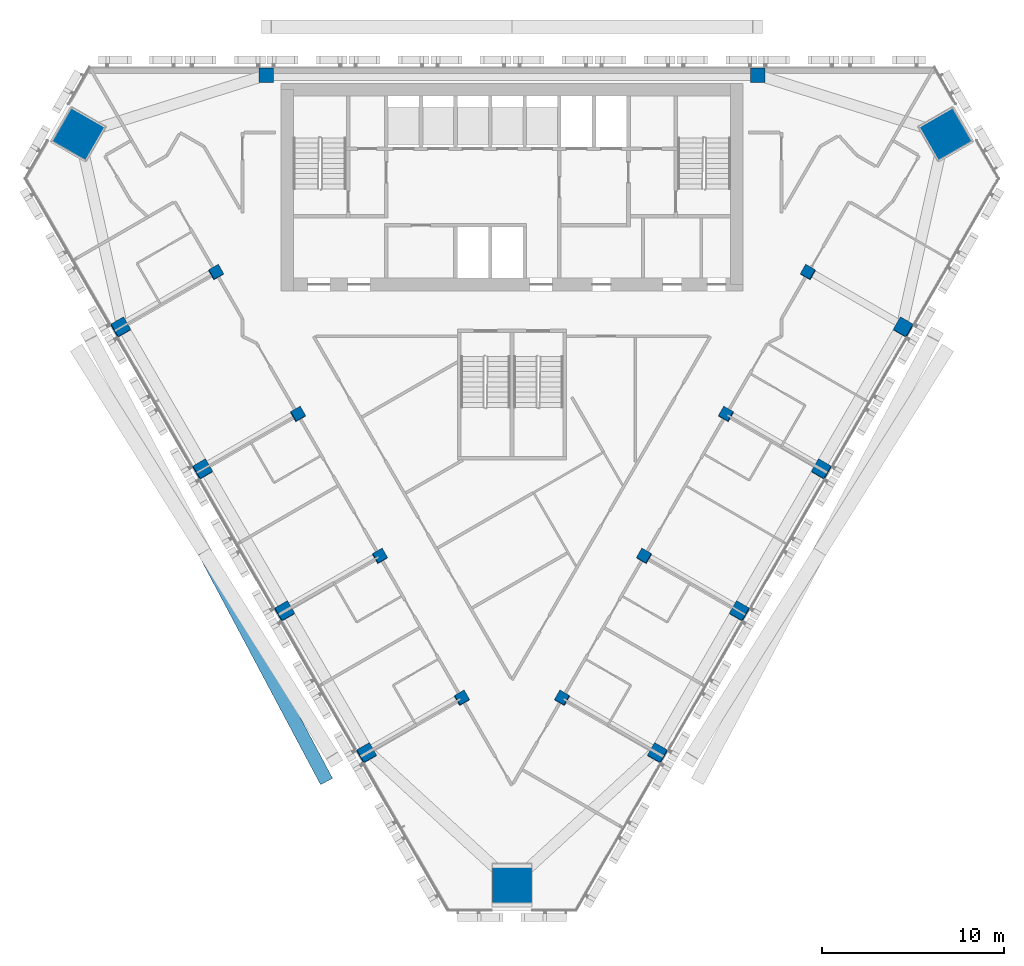
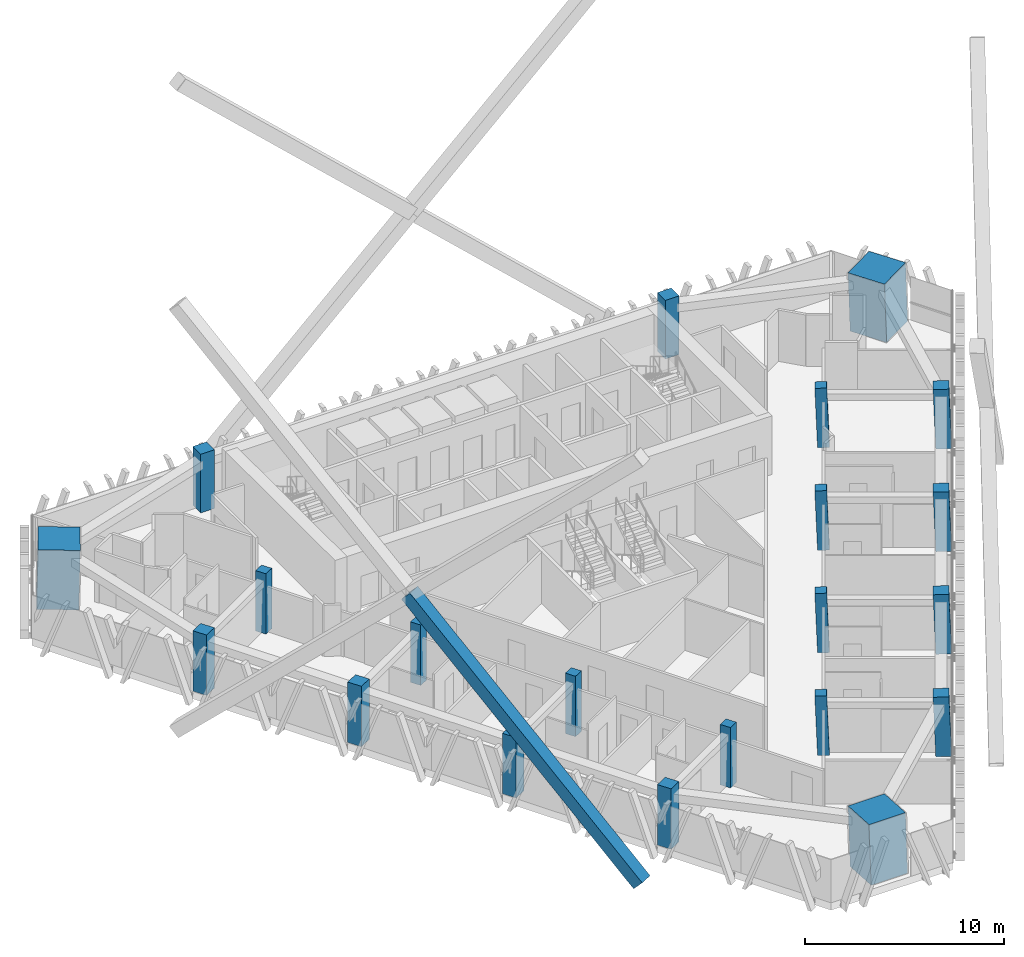
# One storey, part 1 of 18: 21 columns, 1 member.
"""IFC4 building model written with IfcOpenShell, lengths in metres."""

from ifc_helpers import new_model, si_unit, direction, frame, origin, origin_2d, place, context, subcontext, project, spatial, rectangle, hollow_rectangle, extrude, material, material_profile, profile_set, type_object, element, save


model = new_model("IFC4")

# Units and contexts
model_context = context("Model", 3, precision=1e-05, world=origin(), true_north=direction((0.0, 1.0)))
body_context = subcontext(model_context, "Body", "Model", "MODEL_VIEW")
ifc_project = project(units=[si_unit("LENGTHUNIT", "METRE"), si_unit("AREAUNIT", "SQUARE_METRE"), si_unit("VOLUMEUNIT", "CUBIC_METRE"), si_unit("PLANEANGLEUNIT", "RADIAN"), si_unit("MASSUNIT", "GRAM", prefix="KILO")], contexts=[model_context])

# Site, building, storey
site_placement = place(None, origin())
site = spatial("IfcSite", under=ifc_project, at=site_placement, CompositionType="ELEMENT")
building_placement = place(site_placement, origin())
building = spatial("IfcBuilding", under=site, at=building_placement, Name="Altiplano Prism Tower", CompositionType="ELEMENT")
storey_placement = place(building_placement, frame((0.0, 0.0, 163.800048828125)))
storey = spatial("IfcBuildingStorey", under=building, at=storey_placement, Name="L42", CompositionType="ELEMENT", Elevation=163.800048828125)

# Columns
ifc_material_1 = material(Name="Concrete C60/75", Category="concrete")
ifc_material_profile_1 = material_profile(ifc_material_1, rectangle(XDim=0.60009765625, YDim=0.60009765625, at=origin_2d()), Name="Inner column 600")
ifc_profile_set_1 = profile_set([ifc_material_profile_1], Name="Concrete C60/75")
column_type_1 = type_object("IfcColumnType", Name="Inner column 600", PredefinedType="COLUMN", material=ifc_profile_set_1)
for number, where, z_axis, x_axis, name in (
    (1, (68.731689453125, 93.705322265625, -0.019775390625), (0.022212328788, 0.038465252292, 0.999013031354), (-0.86563975744, -0.499187423735, 0.03846721103), "Inner column I11 L42"),
    (2, (73.231689453125, 85.9111328125, -0.019775390625), (0.022212328788, 0.038465252292, 0.999013031354), (-0.865637068683, -0.499192077074, 0.038467330417), "Inner column I12 L42"),
    (3, (77.731689453125, 78.116943359375, -0.019775390625), (0.022212386598, 0.038397631711, 0.99901563139), (-0.866021727155, -0.498528372302, 0.038416534273), "Inner column I13 L42"),
    (4, (82.231689453125, 70.32275390625, -0.019775390625), (0.022212386598, 0.038397631711, 0.99901563139), (-0.866021727155, -0.498528372302, 0.038416534273), "Inner column I14 L42"),
    (5, (87.768310546875, 70.32275390625, -0.019775390625), (-0.022212386598, 0.038397631711, 0.99901563139), (-0.499512740555, -0.866022565462, 0.022179678397), "Inner column I21 L42"),
    (6, (92.268310546875, 78.116943359375, -0.019775390625), (-0.022212386598, 0.038397631711, 0.99901563139), (-0.499512740555, -0.866022565462, 0.022179678397), "Inner column I22 L42"),
    (7, (96.768310546875, 85.9111328125, -0.019775390625), (-0.022212328788, 0.038465252292, 0.999013031354), (-0.500179045715, -0.865637161028, 0.022208729696), "Inner column I23 L42"),
    (8, (101.268310546875, 93.705322265625, -0.019775390625), (-0.022212328788, 0.038465252292, 0.999013031354), (-0.500179045715, -0.865637161028, 0.022208729696), "Inner column I24 L42"),
):
    element("IfcColumn", number, at=place(storey_placement, frame(where, z_axis=z_axis, x_axis=x_axis)), inside=storey, type_object=column_type_1, Name=name, PredefinedType="COLUMN", context=body_context, shape_type="SweptSolid", body=[
        extrude(rectangle(XDim=0.60009765625, YDim=0.60009765625, at=origin_2d()), origin(), (0.0, 0.0, 1.0), 3.605224609375),
    ])
ifc_material_2 = material(Name="Concrete C70/85", Category="concrete")
ifc_material_profile_2 = material_profile(ifc_material_2, rectangle(XDim=2.1201171875, YDim=2.1201171875, at=origin_2d()), Name="Mega column infill 2200")
ifc_profile_set_2 = profile_set([ifc_material_profile_2], Name="Concrete C70/85")
column_type_2 = type_object("IfcColumnType", Name="Mega column infill 2200", PredefinedType="COLUMN", material=ifc_profile_set_2)
column_1_placement = place(storey_placement, frame((61.138427734375, 101.286376953125, 0.0), z_axis=(0.028335986449, 0.009287153453, 0.999555311452), x_axis=(-0.866551229703, 0.498689963997, 0.019932037229)))
element("IfcColumn", 9, at=column_1_placement, inside=storey, type_object=column_type_2, Name="Mega column M0 L42", PredefinedType="COLUMN", context=body_context, shape_type="SweptSolid", body=[
    extrude(rectangle(XDim=2.1201171875, YDim=2.1201171875, at=origin_2d()), origin(), (0.0, 0.0, 1.0), 3.6015625),
])
column_2_placement = place(storey_placement, frame((85.0, 59.956787109375, 0.0), z_axis=(0.0, 0.058360852261, 0.998295552892), x_axis=(-1.0, 0.0, 0.0)))
element("IfcColumn", 10, at=column_2_placement, inside=storey, type_object=column_type_2, Name="Mega column M1 L42", PredefinedType="COLUMN", context=body_context, shape_type="SweptSolid", body=[
    extrude(rectangle(XDim=2.1201171875, YDim=2.1201171875, at=origin_2d()), origin(), (0.0, 0.0, 1.0), 3.60595703125),
])
column_3_placement = place(storey_placement, frame((108.861572265625, 101.286376953125, 0.0), z_axis=(-0.028335986449, 0.009287153453, 0.999555311452), x_axis=(0.498280594902, -0.866732114353, 0.022178608907)))
element("IfcColumn", 11, at=column_3_placement, inside=storey, type_object=column_type_2, Name="Mega column M2 L42", PredefinedType="COLUMN", context=body_context, shape_type="SweptSolid", body=[
    extrude(rectangle(XDim=2.1201171875, YDim=2.1201171875, at=origin_2d()), origin(), (0.0, 0.0, 1.0), 3.6015625),
])
ifc_material_profile_3 = material_profile(ifc_material_1, rectangle(XDim=0.800048828125, YDim=0.800048828125, at=origin_2d()), Name="Perimeter column 800")
ifc_profile_set_3 = profile_set([ifc_material_profile_3], Name="Concrete C60/75")
column_type_3 = type_object("IfcColumnType", Name="Perimeter column 800", PredefinedType="COLUMN", material=ifc_profile_set_3)
for number, where, z_axis, x_axis, name in (
    (12, (98.5, 104.550048828125, 0.0), (0.0, 0.0, 1.0), (1.0, 0.0, 0.0), "Perimeter column P01 L42"),
    (13, (71.5, 104.550048828125, 0.0), (0.0, 0.0, 1.0), (1.0, 0.0, 0.0), "Perimeter column P04 L42"),
):
    element("IfcColumn", number, at=place(storey_placement, frame(where, z_axis=z_axis, x_axis=x_axis)), inside=storey, type_object=column_type_3, Name=name, PredefinedType="COLUMN", context=body_context, shape_type="SweptSolid", body=[
        extrude(rectangle(XDim=0.800048828125, YDim=0.800048828125, at=origin_2d()), origin(), (0.0, 0.0, 1.0), 3.599853515625),
    ])
for number, where, z_axis, x_axis, name in (
    (14, (63.4921875, 90.68017578125, -0.02587890625), (0.022212386598, 0.038397631711, 0.99901563139), (-0.866019050673, -0.498533012583, 0.038416653115), "Perimeter column P11 L42"),
    (15, (67.9921875, 82.885986328125, -0.02587890625), (0.022212386598, 0.038397631711, 0.99901563139), (-0.866019050673, -0.498533012583, 0.038416653115), "Perimeter column P12 L42"),
    (16, (72.4921875, 75.091552734375, -0.02587890625), (0.022212328788, 0.038465252292, 0.999013031354), (-0.865639766169, -0.499187408627, 0.038467210643), "Perimeter column P13 L42"),
    (17, (76.9921875, 67.29736328125, -0.02587890625), (0.022212328788, 0.038465252292, 0.999013031354), (-0.865639766169, -0.499187408627, 0.038467210643), "Perimeter column P14 L42"),
    (18, (93.0078125, 67.29736328125, -0.02587890625), (-0.022212328788, 0.038465252292, 0.999013031354), (-0.500174377269, -0.865639853192, 0.022208937152), "Perimeter column P21 L42"),
    (19, (97.5078125, 75.091552734375, -0.02587890625), (-0.022212328788, 0.038465252292, 0.999013031354), (-0.500174377269, -0.865639853192, 0.022208937152), "Perimeter column P22 L42"),
    (20, (102.0078125, 82.885986328125, -0.02587890625), (-0.022212386598, 0.038397631711, 0.99901563139), (-0.499517380832, -0.866019894254, 0.022179472555), "Perimeter column P23 L42"),
    (21, (106.5078125, 90.68017578125, -0.02587890625), (-0.022212386598, 0.038397631711, 0.99901563139), (-0.499517380832, -0.866019894254, 0.022179472555), "Perimeter column P24 L42"),
):
    element("IfcColumn", number, at=place(storey_placement, frame(where, z_axis=z_axis, x_axis=x_axis)), inside=storey, type_object=column_type_3, Name=name, PredefinedType="COLUMN", context=body_context, shape_type="SweptSolid", body=[
        extrude(rectangle(XDim=0.800048828125, YDim=0.800048828125, at=origin_2d()), origin(), (0.0, 0.0, 1.0), 3.605224609375),
    ])

# Member
ifc_material_3 = material(Name="Steel S355", Category="steel")
ifc_material_profile_4 = material_profile(ifc_material_3, hollow_rectangle(XDim=0.75, YDim=0.75, WallThickness=0.0400390625, at=origin_2d()), Name="Mega brace Box 750x750x40")
ifc_profile_set_4 = profile_set([ifc_material_profile_4], Name="Steel S355")
member_type = type_object("IfcMemberType", Name="Mega brace Box 750x750x40", PredefinedType="BRACE", material=ifc_profile_set_4)
member_placement = place(storey_placement, frame((74.69775390625, 65.973388671875, -0.800048828125), z_axis=(-0.34545029566, 0.650125959237, 0.6767572167), x_axis=(-0.88307582689, -0.46923031015, 0.0)))
element("IfcMember", 22, at=member_placement, inside=storey, type_object=member_type, Name="Mega brace 4.1.3", PredefinedType="BRACE", context=body_context, shape_type="SweptSolid", body=[
    extrude(hollow_rectangle(XDim=0.75, YDim=0.75, WallThickness=0.0400390625, at=origin_2d()), origin(), (0.0, 0.0, 1.0), 18.72900390625),
])

save(model, "model.ifc")
